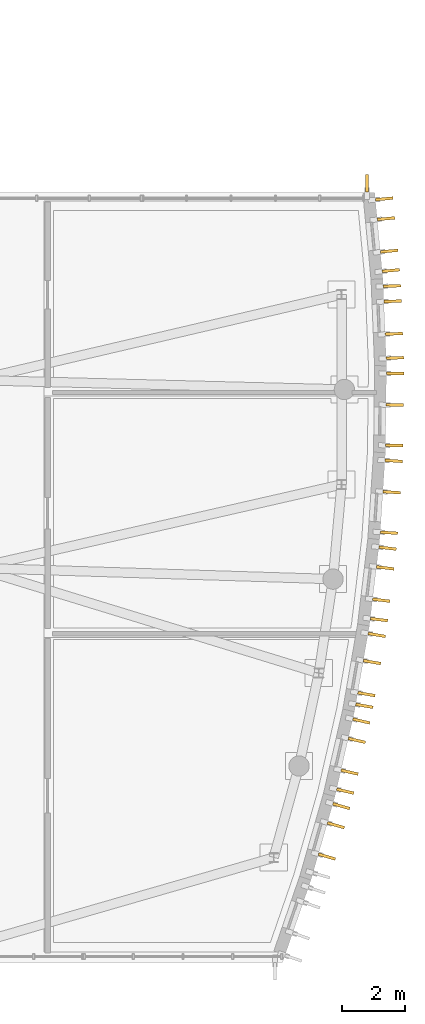
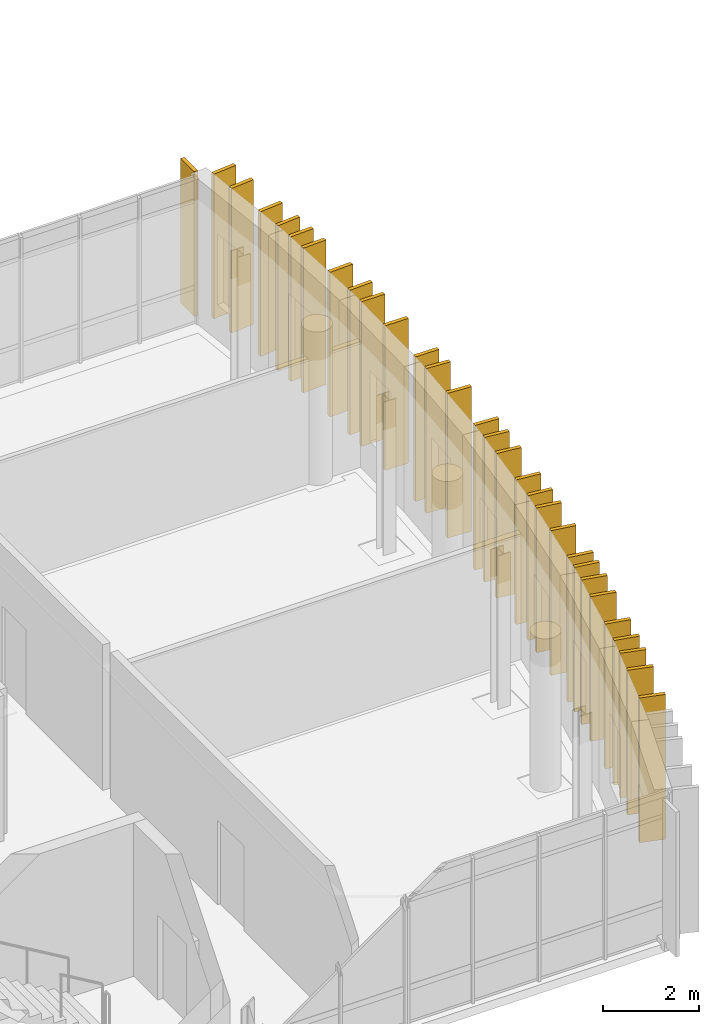
# One storey, part 28 of 28: 30 coverings.
"""IFC4 building model written with IfcOpenShell, lengths in metres."""

from ifc_helpers import new_model, si_unit, direction, frame, origin, origin_2d, place, context, subcontext, project, spatial, rectangle, extrude, material, layer, layer_set, type_object, element, save


model = new_model("IFC4")

# Units and contexts
model_context = context("Model", 3, precision=1e-05, world=origin(), true_north=direction((0.0, 1.0)))
body_context = subcontext(model_context, "Body", "Model", "MODEL_VIEW")
ifc_project = project(units=[si_unit("LENGTHUNIT", "METRE"), si_unit("AREAUNIT", "SQUARE_METRE"), si_unit("VOLUMEUNIT", "CUBIC_METRE"), si_unit("PLANEANGLEUNIT", "RADIAN"), si_unit("MASSUNIT", "GRAM", prefix="KILO")], contexts=[model_context])

# Site, building, storey
site_placement = place(None, origin())
site = spatial("IfcSite", under=ifc_project, at=site_placement, CompositionType="ELEMENT")
building_placement = place(site_placement, origin())
building = spatial("IfcBuilding", under=site, at=building_placement, Name="Cymarion Research Institute", CompositionType="ELEMENT")
storey_placement = place(building_placement, frame((0.0, 0.0, 30.60009765625)))
storey = spatial("IfcBuildingStorey", under=building, at=storey_placement, Name="L07", CompositionType="ELEMENT", Elevation=30.60009765625)

# Coverings
ifc_material = material(Name="Precast concrete C45/55 architectural white", Category="concrete")
ifc_layer = layer(ifc_material, 0.090087890625)
ifc_layer_set = layer_set([ifc_layer], Name="Precast concrete C45/55 architectural white")
covering_type = type_object("IfcCoveringType", Name="ARCHITECTURAL WHITE PRECAST CONCRETE VERTICAL FIN FIN1 560MM", PredefinedType="CLADDING", material=ifc_layer_set)
for number, where, z_axis, x_axis, name in (
    (1, (165.817626953125, 8.279296875, 0.009765625), (0.0, 0.0, 1.0), (0.961213573504, -0.275805123434, 0.0), "L07 V1 white precast vertical fin FIN1 #676"),
    (2, (166.1044921875, 9.279052734375, 0.009765625), (0.0, 0.0, 1.0), (0.961213573504, -0.275805123434, 0.0), "L07 V1 white precast vertical fin FIN1 #677"),
    (3, (166.27978515625, 9.8896484375, 0.009765625), (0.0, 0.0, 1.0), (0.961213573504, -0.275805123434, 0.0), "L07 V1 white precast vertical fin FIN1 #678"),
    (4, (166.4033203125, 10.368896484375, 0.009765625), (0.0, 0.0, 1.0), (0.974566000575, -0.224100670509, 0.0), "L07 V1 white precast vertical fin FIN1 #679"),
    (5, (166.543212890625, 10.976806640625, 0.009765625), (0.0, 0.0, 1.0), (0.974566000575, -0.224100670509, 0.0), "L07 V1 white precast vertical fin FIN1 #680"),
    (6, (166.776123046875, 11.990478515625, 0.009765625), (0.0, 0.0, 1.0), (0.974566000575, -0.224100670509, 0.0), "L07 V1 white precast vertical fin FIN1 #681"),
    (7, (166.918701171875, 12.609619140625, 0.009765625), (0.0, 0.0, 1.0), (0.974566000575, -0.224100670509, 0.0), "L07 V1 white precast vertical fin FIN1 #682"),
    (8, (167.0166015625, 13.094482421875, 0.009765625), (0.0, 0.0, 1.0), (0.985139318439, -0.171757163649, 0.0), "L07 V1 white precast vertical fin FIN1 #683"),
    (9, (167.08154296875, 13.468017578125, 0.009765625), (0.0, 0.0, 1.0), (0.985139318439, -0.171757163649, 0.0), "L07 V1 white precast vertical fin FIN1 #684"),
    (10, (167.26025390625, 14.492431640625, 0.009765625), (0.0, 0.0, 1.0), (0.985139318439, -0.171757163649, 0.0), "L07 V1 white precast vertical fin FIN1 #685"),
    (11, (167.411376953125, 15.35986328125, 0.009765625), (0.0, 0.0, 1.0), (0.985139318439, -0.171757163649, 0.0), "L07 V1 white precast vertical fin FIN1 #686"),
    (12, (167.483154296875, 15.849365234375, 0.009765625), (0.0, 0.0, 1.0), (0.992924116831, -0.118750571435, 0.0), "L07 V1 white precast vertical fin FIN1 #687"),
    (13, (167.557373046875, 16.468994140625, 0.009765625), (0.0, 0.0, 1.0), (0.992924116831, -0.118750571435, 0.0), "L07 V1 white precast vertical fin FIN1 #688"),
    (14, (167.680908203125, 17.501708984375, 0.009765625), (0.0, 0.0, 1.0), (0.992924116831, -0.118750571435, 0.0), "L07 V1 white precast vertical fin FIN1 #689"),
    (15, (167.75634765625, 18.13232421875, 0.009765625), (0.0, 0.0, 1.0), (0.992924116831, -0.118750571435, 0.0), "L07 V1 white precast vertical fin FIN1 #690"),
    (16, (167.802001953125, 18.625, 0.009765625), (0.0, 0.0, 1.0), (0.997847493041, -0.06557728747, 0.0), "L07 V1 white precast vertical fin FIN1 #691"),
    (17, (167.88720703125, 19.919189453125, 0.009765625), (0.0, 0.0, 1.0), (0.997847493041, -0.06557728747, 0.0), "L07 V1 white precast vertical fin FIN1 #692"),
    (18, (167.952880859375, 20.91943359375, 0.009765625), (0.0, 0.0, 1.0), (0.997847493041, -0.06557728747, 0.0), "L07 V1 white precast vertical fin FIN1 #693"),
    (19, (167.971923828125, 21.413818359375, 0.009765625), (0.0, 0.0, 1.0), (0.99992536966, -0.012217000835, 0.0), "L07 V1 white precast vertical fin FIN1 #694"),
    (20, (167.98779296875, 22.707763671875, 0.009765625), (0.0, 0.0, 1.0), (0.99992536966, -0.012217000835, 0.0), "L07 V1 white precast vertical fin FIN1 #695"),
    (21, (168.0, 23.712890625, 0.009765625), (0.0, 0.0, 1.0), (0.99992536966, -0.012217000835, 0.0), "L07 V1 white precast vertical fin FIN1 #696"),
    (22, (167.992919921875, 24.207763671875, 0.009765625), (0.0, 0.0, 1.0), (0.999144619181, 0.041352508522, 0.0), "L07 V1 white precast vertical fin FIN1 #697"),
    (23, (167.9609375, 24.978271484375, 0.009765625), (0.0, 0.0, 1.0), (0.999144619181, 0.041352508522, 0.0), "L07 V1 white precast vertical fin FIN1 #698"),
    (24, (167.918212890625, 26.017333984375, 0.009765625), (0.0, 0.0, 1.0), (0.999144619181, 0.041352508522, 0.0), "L07 V1 white precast vertical fin FIN1 #699"),
    (25, (167.89794921875, 26.505126953125, 0.009765625), (0.0, 0.0, 1.0), (0.999144619181, 0.041352508522, 0.0), "L07 V1 white precast vertical fin FIN1 #700"),
    (26, (167.8642578125, 26.998779296875, 0.009765625), (0.0, 0.0, 1.0), (0.995512553138, 0.09462957542, 0.0), "L07 V1 white precast vertical fin FIN1 #701"),
    (27, (167.805419921875, 27.6201171875, 0.009765625), (0.0, 0.0, 1.0), (0.995512553138, 0.09462957542, 0.0), "L07 V1 white precast vertical fin FIN1 #702"),
    (28, (167.70703125, 28.6552734375, 0.009765625), (0.0, 0.0, 1.0), (0.995512553138, 0.09462957542, 0.0), "L07 V1 white precast vertical fin FIN1 #703"),
    (29, (167.64697265625, 29.287841796875, 0.009765625), (0.0, 0.0, 1.0), (0.995512553138, 0.09462957542, 0.0), "L07 V1 white precast vertical fin FIN1 #704"),
    (30, (167.103515625, 29.781982421875, 0.009765625), (0.0, 0.0, 1.0), (0.0, 1.0, 0.0), "L07 V1 white precast vertical fin FIN1 #705"),
):
    element("IfcCovering", number, at=place(storey_placement, frame(where, z_axis=z_axis, x_axis=x_axis)), inside=storey, type_object=covering_type, Name=name, PredefinedType="CLADDING", context=body_context, shape_type="SweptSolid", body=[
        extrude(rectangle(XDim=0.56005859375, YDim=0.090087890625, at=origin_2d()), origin(), (0.0, 0.0, 1.0), 3.679931640625),
    ])

save(model, "model.ifc")
